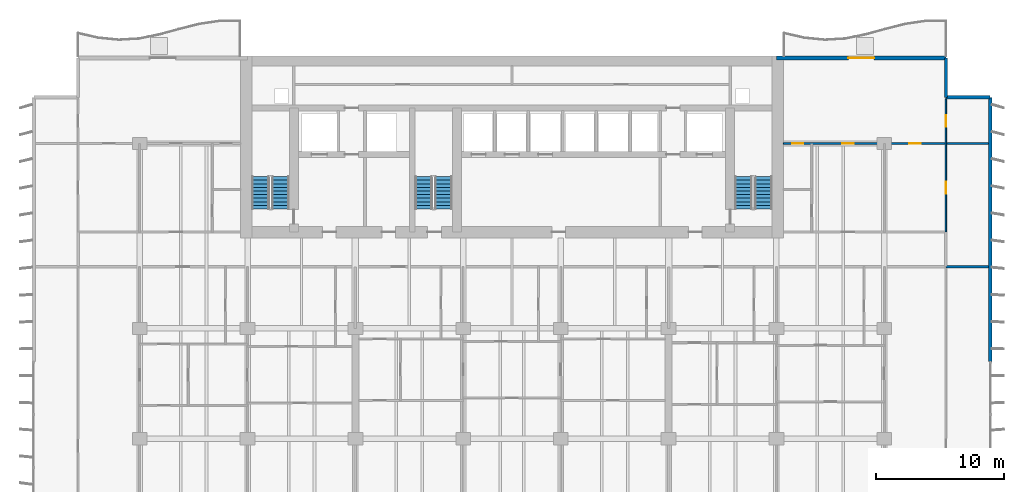
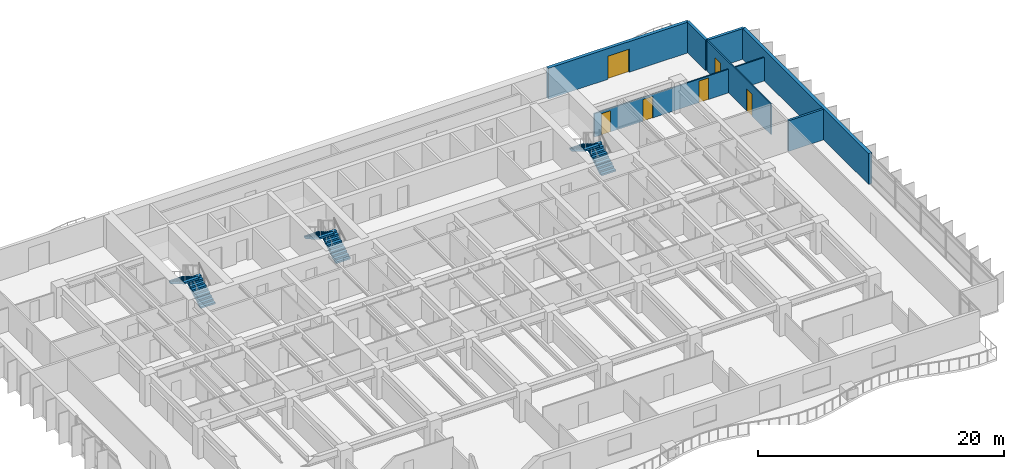
# One storey, part 11 of 16: 7 walls, 6 doors, 6 stair flights, 6 openings, 3 elements without a shape of their own.
"""IFC4 building model written with IfcOpenShell, lengths in metres."""

from ifc_helpers import new_model, si_unit, direction, frame, frame_2d, origin, place, context, subcontext, project, spatial, polyline, rectangle, outline, extrude, material, layer, layer_set, type_object, element, fill, aggregate, save


model = new_model("IFC4")

# Units and contexts
model_context = context("Model", 3, precision=1e-05, world=origin(), true_north=direction((0.0, 1.0)))
body_context = subcontext(model_context, "Body", "Model", "MODEL_VIEW")
ifc_project = project(units=[si_unit("LENGTHUNIT", "METRE"), si_unit("AREAUNIT", "SQUARE_METRE"), si_unit("VOLUMEUNIT", "CUBIC_METRE"), si_unit("PLANEANGLEUNIT", "RADIAN"), si_unit("MASSUNIT", "GRAM", prefix="KILO")], contexts=[model_context])

# Site, building, storey
site_placement = place(None, origin())
site = spatial("IfcSite", under=ifc_project, at=site_placement, CompositionType="ELEMENT")
building_placement = place(site_placement, origin())
building = spatial("IfcBuilding", under=site, at=building_placement, Name="Caelmar Bay Residences", CompositionType="ELEMENT")
storey_placement = place(building_placement, frame((0.0, 0.0, 72.89990234375)))
storey = spatial("IfcBuildingStorey", under=building, at=storey_placement, Name="L19", CompositionType="ELEMENT", Elevation=72.89990234375)

# Walls
ifc_material_1 = material(Name="Precast concrete f'c 40 MPa (6,000 psi)", Category="concrete")
ifc_layer_1 = layer(ifc_material_1, 0.25)
ifc_layer_set_1 = layer_set([ifc_layer_1], Name="Precast concrete f'c 40 MPa (6,000 psi)")
wall_type_1 = type_object("IfcWallType", Name="W-EXT-250", PredefinedType="ELEMENTEDWALL", material=ifc_layer_set_1)
wall_1_placement = place(storey_placement, frame((72.699951171875, 50.449951171875, 0.0), z_axis=(0.0, 0.0, 1.0), x_axis=(0.0, -1.0, 0.0)))
element("IfcWall", 1, at=wall_1_placement, inside=storey, type_object=wall_type_1, Name="L19 NNE-V Notch Wall", PredefinedType="ELEMENTEDWALL", context=body_context, shape_type="SweptSolid", body=[
    extrude(rectangle(XDim=3.050048828125, YDim=0.25, at=frame_2d((1.52490234375, 0.0))), origin(), (0.0, 0.0, 1.0), 3.050048828125),
])
wall_2_placement = place(storey_placement, frame((72.699951171875, 47.39990234375, 0.0), z_axis=(0.0, 0.0, 1.0), x_axis=(1.0, 0.0, 0.0)))
element("IfcWall", 2, at=wall_2_placement, inside=storey, type_object=wall_type_1, Name="L19 NNE-H Notch Wall", PredefinedType="ELEMENTEDWALL", context=body_context, shape_type="SweptSolid", body=[
    extrude(rectangle(XDim=3.449951171875, YDim=0.25, at=frame_2d((1.72509765625, 0.0))), origin(), (0.0, 0.0, 1.0), 3.050048828125),
])
ifc_layer_2 = layer(ifc_material_1, 0.300048828125)
ifc_layer_set_2 = layer_set([ifc_layer_2], Name="Precast concrete f'c 40 MPa (6,000 psi)")
wall_type_2 = type_object("IfcWallType", Name="W-EXT-300", PredefinedType="STANDARD", material=ifc_layer_set_2)
wall_3_placement = place(storey_placement, frame((76.14990234375, 47.39990234375, 0.0), z_axis=(0.0, 0.0, 1.0), x_axis=(0.0, -1.0, 0.0)))
element("IfcWall", 3, at=wall_3_placement, inside=storey, type_object=wall_type_2, Name="L19 East Rear Exterior Wall", PredefinedType="STANDARD", context=body_context, shape_type="SweptSolid", body=[
    extrude(rectangle(XDim=20.599853515625, YDim=0.300048828125, at=frame_2d((10.2998046875, 0.0))), origin(), (0.0, 0.0, 1.0), 3.050048828125),
])

# Wall, opening, door
wall_4_placement = place(storey_placement, frame((59.5, 50.449951171875, 0.0), z_axis=(0.0, 0.0, 1.0), x_axis=(1.0, 0.0, 0.0)))
wall_4 = element("IfcWall", 4, at=wall_4_placement, inside=storey, type_object=wall_type_2, Name="L19 North-East Wing Exterior Wall", PredefinedType="STANDARD", context=body_context, shape_type="SweptSolid", body=[
    extrude(rectangle(XDim=13.199951171875, YDim=0.300048828125, at=frame_2d((6.60009765625, 0.0))), origin(), (0.0, 0.0, 1.0), 3.050048828125),
])
opening_1_placement = place(wall_4_placement, frame((5.60009765625, 0.0, 0.0)))
opening_1 = element("IfcOpeningElement", 5, at=opening_1_placement, cuts=wall_4, Name="Opening L19-BDNE", PredefinedType="OPENING", context=body_context, shape_type="SweptSolid", body=[
    extrude(rectangle(XDim=2.0, YDim=2.300048828125, at=frame_2d((1.0, 1.14990234375))), frame((0.0, 0.159912109375, 0.0), z_axis=(0.0, -1.0, 0.0), x_axis=(1.0, 0.0, 0.0)), (0.0, 0.0, 1.0), 0.320068359375),
])
ifc_material_2 = material(Name="Anodised bronze thermally broken sliding glass door", Category="glass")
ifc_layer_3 = layer(ifc_material_2, 0.050048828125)
ifc_layer_set_3 = layer_set([ifc_layer_3], Name="Anodised bronze thermally broken sliding glass door")
door_type_1 = type_object("IfcDoorType", Name="D-BAL-2000", OperationType="DOUBLE_DOOR_SLIDING", PredefinedType="DOOR", material=ifc_layer_set_3)
door_1_placement = place(opening_1_placement, origin())
door_1 = element("IfcDoor", 6, at=door_1_placement, inside=storey, type_object=door_type_1, Name="L19 North-East Balcony Door", OperationType="DOUBLE_DOOR_SLIDING", OverallHeight=2.300048828125, OverallWidth=2.0, PredefinedType="DOOR", context=body_context, shape_type="SweptSolid", body=[
    extrude(rectangle(XDim=2.0, YDim=2.300048828125, at=frame_2d((1.0, 1.14990234375))), frame((0.0, 0.02490234375, 0.0), z_axis=(0.0, -1.0, 0.0), x_axis=(1.0, 0.0, 0.0)), (0.0, 0.0, 1.0), 0.050048828125),
])
fill(opening_1, door_1)

# Wall, openings, doors
ifc_material_3 = material(Name="Acoustic metal-stud gypsum partition 120 mm")
ifc_layer_4 = layer(ifc_material_3, 0.1201171875)
ifc_layer_set_4 = layer_set([ifc_layer_4], Name="Acoustic metal-stud gypsum partition 120 mm")
wall_type_3 = type_object("IfcWallType", Name="W-PRT-120", PredefinedType="PARTITIONING", material=ifc_layer_set_4)
wall_5_placement = place(storey_placement, frame((72.699951171875, 36.905029296875, 0.0), z_axis=(0.0, 0.0, 1.0), x_axis=(0.0, 1.0, 0.0)))
wall_5 = element("IfcWall", 7, at=wall_5_placement, inside=storey, type_object=wall_type_3, Name="L19 Partition Wall V052", PredefinedType="PARTITIONING", context=body_context, shape_type="SweptSolid", body=[
    extrude(rectangle(XDim=10.375, YDim=0.1201171875, at=frame_2d((5.1875, 0.0))), origin(), (0.0, 0.0, 1.0), 3.050048828125),
])
opening_2_placement = place(wall_5_placement, frame((2.99755859375, 0.0, 0.0)))
opening_2 = element("IfcOpeningElement", 8, at=opening_2_placement, cuts=wall_5, Name="Opening D-L19-170", PredefinedType="OPENING", context=body_context, shape_type="SweptSolid", body=[
    extrude(rectangle(XDim=0.89990234375, YDim=2.14990234375, at=frame_2d((0.449951171875, 1.074951171875))), frame((0.0, 0.070068359375, 0.0), z_axis=(0.0, -1.0, 0.0), x_axis=(1.0, 0.0, 0.0)), (0.0, 0.0, 1.0), 0.14013671875),
])
opening_3_placement = place(wall_5_placement, frame((8.18505859375, 0.0, 0.0)))
opening_3 = element("IfcOpeningElement", 9, at=opening_3_placement, cuts=wall_5, Name="Opening D-L19-171", PredefinedType="OPENING", context=body_context, shape_type="SweptSolid", body=[
    extrude(rectangle(XDim=0.89990234375, YDim=2.14990234375, at=frame_2d((0.449951171875, 1.074951171875))), frame((0.0, 0.070068359375, 0.0), z_axis=(0.0, -1.0, 0.0), x_axis=(1.0, 0.0, 0.0)), (0.0, 0.0, 1.0), 0.14013671875),
])
ifc_material_4 = material(Name="Solid walnut timber interior door leaf and frame", Category="wood")
ifc_layer_5 = layer(ifc_material_4, 0.050048828125)
ifc_layer_set_5 = layer_set([ifc_layer_5], Name="Solid walnut timber interior door leaf and frame")
door_type_2 = type_object("IfcDoorType", Name="D-ROOM-900", OperationType="NOTDEFINED", PredefinedType="DOOR", material=ifc_layer_set_5)
door_2_placement = place(opening_2_placement, origin())
door_2 = element("IfcDoor", 10, at=door_2_placement, inside=storey, type_object=door_type_2, Name="L19 Residence EA Sun Study Door", OperationType="SINGLE_SWING_LEFT", OverallHeight=2.14990234375, OverallWidth=0.89990234375, PredefinedType="DOOR", context=body_context, shape_type="SweptSolid", body=[
    extrude(rectangle(XDim=0.89990234375, YDim=2.14990234375, at=frame_2d((0.449951171875, 1.074951171875))), frame((0.0, 0.02490234375, 0.0), z_axis=(0.0, -1.0, 0.0), x_axis=(1.0, 0.0, 0.0)), (0.0, 0.0, 1.0), 0.050048828125),
])
fill(opening_2, door_2)
door_3_placement = place(opening_3_placement, origin())
door_3 = element("IfcDoor", 11, at=door_3_placement, inside=storey, type_object=door_type_2, Name="L19 Residence EA North Sitting Alcove Door", OperationType="SINGLE_SWING_RIGHT", OverallHeight=2.14990234375, OverallWidth=0.89990234375, PredefinedType="DOOR", context=body_context, shape_type="SweptSolid", body=[
    extrude(rectangle(XDim=0.89990234375, YDim=2.14990234375, at=frame_2d((0.449951171875, 1.074951171875))), frame((0.0, 0.02490234375, 0.0), z_axis=(0.0, -1.0, 0.0), x_axis=(1.0, 0.0, 0.0)), (0.0, 0.0, 1.0), 0.050048828125),
])
fill(opening_3, door_3)

wall_6_placement = place(storey_placement, frame((60.044921875, 43.800048828125, 0.0), z_axis=(0.0, 0.0, 1.0), x_axis=(1.0, 0.0, 0.0)))
wall_6 = element("IfcWall", 12, at=wall_6_placement, inside=storey, type_object=wall_type_3, Name="L19 Partition Wall H078", PredefinedType="PARTITIONING", context=body_context, shape_type="SweptSolid", body=[
    extrude(rectangle(XDim=15.9599609375, YDim=0.1201171875, at=frame_2d((7.97998046875, 0.0))), origin(), (0.0, 0.0, 1.0), 2.339111328125),
])
opening_4_placement = place(wall_6_placement, frame((9.804931640625, 0.0, 0.0)))
opening_4 = element("IfcOpeningElement", 13, at=opening_4_placement, cuts=wall_6, Name="Opening D-L19-165", PredefinedType="OPENING", context=body_context, shape_type="SweptSolid", body=[
    extrude(rectangle(XDim=0.89990234375, YDim=2.14990234375, at=frame_2d((0.449951171875, 1.074951171875))), frame((0.0, 0.070068359375, 0.0), z_axis=(0.0, -1.0, 0.0), x_axis=(1.0, 0.0, 0.0)), (0.0, 0.0, 1.0), 0.14013671875),
])
opening_5_placement = place(wall_6_placement, frame((4.580078125, 0.0, 0.0)))
opening_5 = element("IfcOpeningElement", 14, at=opening_5_placement, cuts=wall_6, Name="Opening D-L19-167", PredefinedType="OPENING", context=body_context, shape_type="SweptSolid", body=[
    extrude(rectangle(XDim=0.89990234375, YDim=2.14990234375, at=frame_2d((0.449951171875, 1.074951171875))), frame((0.0, 0.070068359375, 0.0), z_axis=(0.0, -1.0, 0.0), x_axis=(1.0, 0.0, 0.0)), (0.0, 0.0, 1.0), 0.14013671875),
])
opening_6_placement = place(wall_6_placement, frame((0.677490234375, 0.0, 0.0)))
opening_6 = element("IfcOpeningElement", 15, at=opening_6_placement, cuts=wall_6, Name="Opening D-L19-169", PredefinedType="OPENING", context=body_context, shape_type="SweptSolid", body=[
    extrude(rectangle(XDim=0.85009765625, YDim=2.10009765625, at=frame_2d((0.425048828125, 1.050048828125))), frame((0.0, 0.070068359375, 0.0), z_axis=(0.0, -1.0, 0.0), x_axis=(1.0, 0.0, 0.0)), (0.0, 0.0, 1.0), 0.14013671875),
])
ifc_layer_6 = layer(ifc_material_4, 0.050048828125)
ifc_layer_set_6 = layer_set([ifc_layer_6], Name="Solid walnut timber interior door leaf and frame")
door_type_3 = type_object("IfcDoorType", Name="D-BATH-850", OperationType="NOTDEFINED", PredefinedType="DOOR", material=ifc_layer_set_6)
door_4_placement = place(opening_6_placement, origin())
door_4 = element("IfcDoor", 16, at=door_4_placement, inside=storey, type_object=door_type_3, Name="L19 Residence EA Bathroom Door", OperationType="SINGLE_SWING_RIGHT", OverallHeight=2.10009765625, OverallWidth=0.85009765625, PredefinedType="DOOR", context=body_context, shape_type="SweptSolid", body=[
    extrude(rectangle(XDim=0.85009765625, YDim=2.10009765625, at=frame_2d((0.425048828125, 1.050048828125))), frame((0.0, 0.02490234375, 0.0), z_axis=(0.0, -1.0, 0.0), x_axis=(1.0, 0.0, 0.0)), (0.0, 0.0, 1.0), 0.050048828125),
])
fill(opening_6, door_4)
door_5_placement = place(opening_4_placement, origin())
door_5 = element("IfcDoor", 17, at=door_5_placement, inside=storey, type_object=door_type_2, Name="L19 Residence EA Study Door", OperationType="SINGLE_SWING_RIGHT", OverallHeight=2.14990234375, OverallWidth=0.89990234375, PredefinedType="DOOR", context=body_context, shape_type="SweptSolid", body=[
    extrude(rectangle(XDim=0.89990234375, YDim=2.14990234375, at=frame_2d((0.449951171875, 1.074951171875))), frame((0.0, 0.02490234375, 0.0), z_axis=(0.0, -1.0, 0.0), x_axis=(1.0, 0.0, 0.0)), (0.0, 0.0, 1.0), 0.050048828125),
])
fill(opening_4, door_5)
door_6_placement = place(opening_5_placement, origin())
door_6 = element("IfcDoor", 18, at=door_6_placement, inside=storey, type_object=door_type_2, Name="L19 Residence EA Studio Living and Sleeping Room Door", OperationType="SINGLE_SWING_RIGHT", OverallHeight=2.14990234375, OverallWidth=0.89990234375, PredefinedType="DOOR", context=body_context, shape_type="SweptSolid", body=[
    extrude(rectangle(XDim=0.89990234375, YDim=2.14990234375, at=frame_2d((0.449951171875, 1.074951171875))), frame((0.0, 0.02490234375, 0.0), z_axis=(0.0, -1.0, 0.0), x_axis=(1.0, 0.0, 0.0)), (0.0, 0.0, 1.0), 0.050048828125),
])
fill(opening_5, door_6)

# Wall
ifc_material_5 = material(Name="Acoustic twin-stud fire-rated inter-tenancy partition 200 mm")
ifc_layer_7 = layer(ifc_material_5, 0.199951171875)
ifc_layer_set_7 = layer_set([ifc_layer_7], Name="Acoustic twin-stud fire-rated inter-tenancy partition 200 mm")
wall_type_4 = type_object("IfcWallType", Name="W-PTY-200", PredefinedType="PARTITIONING", material=ifc_layer_set_7)
wall_7_placement = place(storey_placement, frame((72.705078125, 34.199951171875, 0.0), z_axis=(0.0, 0.0, 1.0), x_axis=(1.0, 0.0, 0.0)))
element("IfcWall", 19, at=wall_7_placement, inside=storey, type_object=wall_type_4, Name="L19 Partition Wall H072", PredefinedType="PARTITIONING", context=body_context, shape_type="SweptSolid", body=[
    extrude(rectangle(XDim=3.2998046875, YDim=0.199951171875, at=frame_2d((1.64990234375, 0.0))), origin(), (0.0, 0.0, 1.0), 3.050048828125),
])

# Stair, stair flights
ifc_material_6 = material(Name="Concrete f'c 40 MPa (6,000 psi)", Category="concrete")
stair_type = type_object("IfcStairType", Name="ST-TYP-165", PredefinedType="HALF_TURN_STAIR", material=ifc_material_6)
stair_1_placement = place(storey_placement, origin())
stair_1 = element("IfcStair", 20, at=stair_1_placement, inside=storey, type_object=stair_type, Name="L19 West Smokeproof Exit Stair ST1", PredefinedType="HALF_TURN_STAIR")
stair_flight_type = type_object("IfcStairFlightType", Name="STF-1350", PredefinedType="STRAIGHT", material=ifc_material_6)
stair_flight_1_placement = place(storey_placement, frame((20.875, 38.699951171875, 0.0), z_axis=(0.0, 0.0, 1.0), x_axis=(0.0, 1.0, 0.0)))
stair_flight_1 = element("IfcStairFlight", 21, at=stair_flight_1_placement, type_object=stair_flight_type, Name="ST1 flight 1", NumberOfRisers=10, NumberOfTreads=9, PredefinedType="STRAIGHT", RiserHeight=0.165, TreadLength=0.28, context=body_context, shape_type="SweptSolid", body=[
    extrude(outline(polyline([(0.0, 0.0), (0.0, 0.1650390625), (0.280029296875, 0.1650390625), (0.280029296875, 0.330078125), (0.56005859375, 0.330078125), (0.56005859375, 0.4951171875), (0.840087890625, 0.4951171875), (0.840087890625, 0.659912109375), (1.1201171875, 0.659912109375), (1.1201171875, 0.824951171875), (1.39990234375, 0.824951171875), (1.39990234375, 0.989990234375), (1.679931640625, 0.989990234375), (1.679931640625, 1.155029296875), (1.9599609375, 1.155029296875), (1.9599609375, 1.320068359375), (2.239990234375, 1.320068359375), (2.239990234375, 1.485107421875), (2.52001953125, 1.485107421875), (2.52001953125, 1.64990234375), (2.52001953125, 1.31103515625), (0.295166015625, 0.0), (0.0, 0.0)])), frame((0.0, 0.675048828125, 0.0), z_axis=(0.0, -1.0, 0.0), x_axis=(1.0, 0.0, 0.0)), (0.0, 0.0, 1.0), 1.35009765625),
])
stair_flight_2_placement = place(storey_placement, frame((19.324951171875, 41.219970703125, 1.650146484375), z_axis=(0.0, 0.0, 1.0), x_axis=(0.0, -1.0, 0.0)))
stair_flight_2 = element("IfcStairFlight", 22, at=stair_flight_2_placement, type_object=stair_flight_type, Name="ST1 flight 2", NumberOfRisers=10, NumberOfTreads=9, PredefinedType="STRAIGHT", RiserHeight=0.165, TreadLength=0.28, context=body_context, shape_type="SweptSolid", body=[
    extrude(outline(polyline([(0.0, 0.0), (0.0, 0.1650390625), (0.280029296875, 0.1650390625), (0.280029296875, 0.330078125), (0.56005859375, 0.330078125), (0.56005859375, 0.4951171875), (0.840087890625, 0.4951171875), (0.840087890625, 0.659912109375), (1.1201171875, 0.659912109375), (1.1201171875, 0.824951171875), (1.39990234375, 0.824951171875), (1.39990234375, 0.989990234375), (1.679931640625, 0.989990234375), (1.679931640625, 1.155029296875), (1.9599609375, 1.155029296875), (1.9599609375, 1.320068359375), (2.239990234375, 1.320068359375), (2.239990234375, 1.485107421875), (2.52001953125, 1.485107421875), (2.52001953125, 1.64990234375), (2.52001953125, 1.31103515625), (0.295166015625, 0.0), (0.0, 0.0)])), frame((0.0, 0.675048828125, 0.0), z_axis=(0.0, -1.0, 0.0), x_axis=(1.0, 0.0, 0.0)), (0.0, 0.0, 1.0), 1.35009765625),
])
aggregate(stair_1, [stair_flight_1, stair_flight_2])

stair_2_placement = place(storey_placement, origin())
stair_2 = element("IfcStair", 23, at=stair_2_placement, inside=storey, type_object=stair_type, Name="L19 East Smokeproof Exit Stair ST2", PredefinedType="HALF_TURN_STAIR")
stair_flight_3_placement = place(storey_placement, frame((58.47509765625, 38.699951171875, 0.0), z_axis=(0.0, 0.0, 1.0), x_axis=(0.0, 1.0, 0.0)))
stair_flight_3 = element("IfcStairFlight", 24, at=stair_flight_3_placement, type_object=stair_flight_type, Name="ST2 flight 1", NumberOfRisers=10, NumberOfTreads=9, PredefinedType="STRAIGHT", RiserHeight=0.165, TreadLength=0.28, context=body_context, shape_type="SweptSolid", body=[
    extrude(outline(polyline([(0.0, 0.0), (0.0, 0.1650390625), (0.280029296875, 0.1650390625), (0.280029296875, 0.330078125), (0.56005859375, 0.330078125), (0.56005859375, 0.4951171875), (0.840087890625, 0.4951171875), (0.840087890625, 0.659912109375), (1.1201171875, 0.659912109375), (1.1201171875, 0.824951171875), (1.39990234375, 0.824951171875), (1.39990234375, 0.989990234375), (1.679931640625, 0.989990234375), (1.679931640625, 1.155029296875), (1.9599609375, 1.155029296875), (1.9599609375, 1.320068359375), (2.239990234375, 1.320068359375), (2.239990234375, 1.485107421875), (2.52001953125, 1.485107421875), (2.52001953125, 1.64990234375), (2.52001953125, 1.31103515625), (0.295166015625, 0.0), (0.0, 0.0)])), frame((0.0, 0.675048828125, 0.0), z_axis=(0.0, -1.0, 0.0), x_axis=(1.0, 0.0, 0.0)), (0.0, 0.0, 1.0), 1.35009765625),
])
stair_flight_4_placement = place(storey_placement, frame((56.925048828125, 41.219970703125, 1.650146484375), z_axis=(0.0, 0.0, 1.0), x_axis=(0.0, -1.0, 0.0)))
stair_flight_4 = element("IfcStairFlight", 25, at=stair_flight_4_placement, type_object=stair_flight_type, Name="ST2 flight 2", NumberOfRisers=10, NumberOfTreads=9, PredefinedType="STRAIGHT", RiserHeight=0.165, TreadLength=0.28, context=body_context, shape_type="SweptSolid", body=[
    extrude(outline(polyline([(0.0, 0.0), (0.0, 0.1650390625), (0.280029296875, 0.1650390625), (0.280029296875, 0.330078125), (0.56005859375, 0.330078125), (0.56005859375, 0.4951171875), (0.840087890625, 0.4951171875), (0.840087890625, 0.659912109375), (1.1201171875, 0.659912109375), (1.1201171875, 0.824951171875), (1.39990234375, 0.824951171875), (1.39990234375, 0.989990234375), (1.679931640625, 0.989990234375), (1.679931640625, 1.155029296875), (1.9599609375, 1.155029296875), (1.9599609375, 1.320068359375), (2.239990234375, 1.320068359375), (2.239990234375, 1.485107421875), (2.52001953125, 1.485107421875), (2.52001953125, 1.64990234375), (2.52001953125, 1.31103515625), (0.295166015625, 0.0), (0.0, 0.0)])), frame((0.0, 0.675048828125, 0.0), z_axis=(0.0, -1.0, 0.0), x_axis=(1.0, 0.0, 0.0)), (0.0, 0.0, 1.0), 1.35009765625),
])
aggregate(stair_2, [stair_flight_3, stair_flight_4])

stair_3_placement = place(storey_placement, origin())
stair_3 = element("IfcStair", 26, at=stair_3_placement, inside=storey, type_object=stair_type, Name="L19 Central Smokeproof Exit Stair ST3", PredefinedType="HALF_TURN_STAIR")
stair_flight_5_placement = place(storey_placement, frame((33.574951171875, 38.699951171875, 0.0), z_axis=(0.0, 0.0, 1.0), x_axis=(0.0, 1.0, 0.0)))
stair_flight_5 = element("IfcStairFlight", 27, at=stair_flight_5_placement, type_object=stair_flight_type, Name="ST3 flight 1", NumberOfRisers=10, NumberOfTreads=9, PredefinedType="STRAIGHT", RiserHeight=0.165, TreadLength=0.28, context=body_context, shape_type="SweptSolid", body=[
    extrude(outline(polyline([(0.0, 0.0), (0.0, 0.1650390625), (0.280029296875, 0.1650390625), (0.280029296875, 0.330078125), (0.56005859375, 0.330078125), (0.56005859375, 0.4951171875), (0.840087890625, 0.4951171875), (0.840087890625, 0.659912109375), (1.1201171875, 0.659912109375), (1.1201171875, 0.824951171875), (1.39990234375, 0.824951171875), (1.39990234375, 0.989990234375), (1.679931640625, 0.989990234375), (1.679931640625, 1.155029296875), (1.9599609375, 1.155029296875), (1.9599609375, 1.320068359375), (2.239990234375, 1.320068359375), (2.239990234375, 1.485107421875), (2.52001953125, 1.485107421875), (2.52001953125, 1.64990234375), (2.52001953125, 1.31103515625), (0.295166015625, 0.0), (0.0, 0.0)])), frame((0.0, 0.675048828125, 0.0), z_axis=(0.0, -1.0, 0.0), x_axis=(1.0, 0.0, 0.0)), (0.0, 0.0, 1.0), 1.35009765625),
])
stair_flight_6_placement = place(storey_placement, frame((32.02490234375, 41.219970703125, 1.650146484375), z_axis=(0.0, 0.0, 1.0), x_axis=(0.0, -1.0, 0.0)))
stair_flight_6 = element("IfcStairFlight", 28, at=stair_flight_6_placement, type_object=stair_flight_type, Name="ST3 flight 2", NumberOfRisers=10, NumberOfTreads=9, PredefinedType="STRAIGHT", RiserHeight=0.165, TreadLength=0.28, context=body_context, shape_type="SweptSolid", body=[
    extrude(outline(polyline([(0.0, 0.0), (0.0, 0.1650390625), (0.280029296875, 0.1650390625), (0.280029296875, 0.330078125), (0.56005859375, 0.330078125), (0.56005859375, 0.4951171875), (0.840087890625, 0.4951171875), (0.840087890625, 0.659912109375), (1.1201171875, 0.659912109375), (1.1201171875, 0.824951171875), (1.39990234375, 0.824951171875), (1.39990234375, 0.989990234375), (1.679931640625, 0.989990234375), (1.679931640625, 1.155029296875), (1.9599609375, 1.155029296875), (1.9599609375, 1.320068359375), (2.239990234375, 1.320068359375), (2.239990234375, 1.485107421875), (2.52001953125, 1.485107421875), (2.52001953125, 1.64990234375), (2.52001953125, 1.31103515625), (0.295166015625, 0.0), (0.0, 0.0)])), frame((0.0, 0.675048828125, 0.0), z_axis=(0.0, -1.0, 0.0), x_axis=(1.0, 0.0, 0.0)), (0.0, 0.0, 1.0), 1.35009765625),
])
aggregate(stair_3, [stair_flight_5, stair_flight_6])

save(model, "model.ifc")
